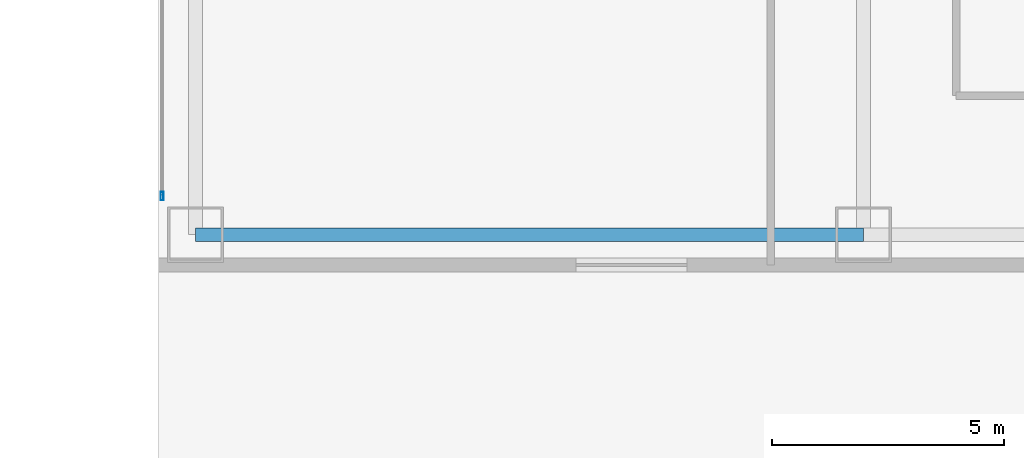
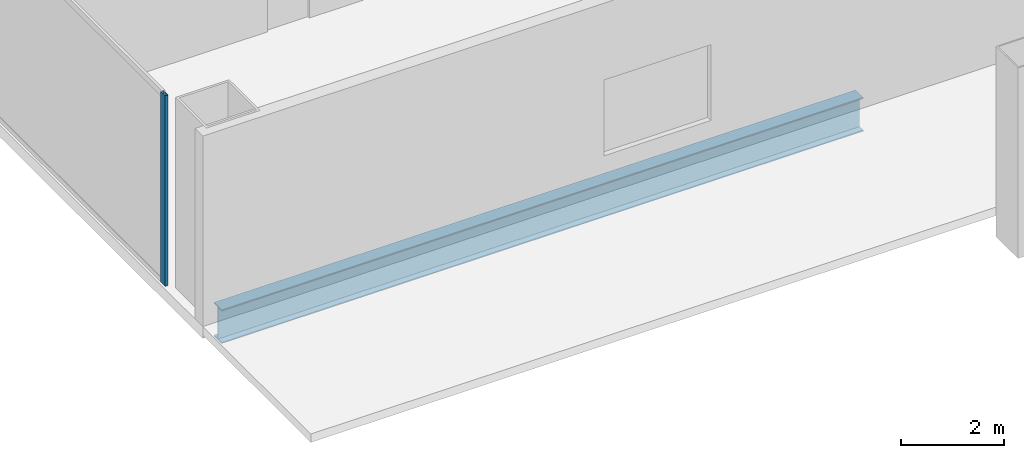
# One storey, part 4 of 58: 1 beam, 1 member, 1 element without a shape of its own.
"""IFC4 building model written with IfcOpenShell, lengths in metres."""

from ifc_helpers import new_model, si_unit, direction, frame, origin, origin_2d, place, context, subcontext, project, spatial, hollow_rectangle, i_section, extrude, source, transform, mapped, material, layer, layer_set, material_profile, profile_set, type_object, element, aggregate, save


model = new_model("IFC4")

# Units and contexts
model_context = context("Model", 3, precision=1e-05, world=origin(), true_north=direction((0.0, 1.0)))
body_context = subcontext(model_context, "Body", "Model", "MODEL_VIEW")
ifc_project = project(units=[si_unit("LENGTHUNIT", "METRE"), si_unit("AREAUNIT", "SQUARE_METRE"), si_unit("VOLUMEUNIT", "CUBIC_METRE"), si_unit("PLANEANGLEUNIT", "RADIAN"), si_unit("MASSUNIT", "GRAM", prefix="KILO"), si_unit("THERMODYNAMICTEMPERATUREUNIT", "KELVIN"), si_unit("POWERUNIT", "WATT")], contexts=[model_context])

# Site, building, storey
site_placement = place(None, origin())
site = spatial("IfcSite", under=ifc_project, at=site_placement, CompositionType="ELEMENT")
building_placement = place(site_placement, origin())
building = spatial("IfcBuilding", under=site, at=building_placement, Name="Yunzhuo Pagoda Commons", CompositionType="ELEMENT")
storey_placement = place(building_placement, origin())
storey = spatial("IfcBuildingStorey", under=building, at=storey_placement, Name="L01", CompositionType="ELEMENT", Elevation=0.0)

# Beam
ifc_material_1 = material(Name="Structural steel Q355B", Category="steel")
ifc_material_profile_1 = material_profile(ifc_material_1, i_section(OverallWidth=0.300048828125, OverallDepth=0.800048828125, WebThickness=0.013916015625, FlangeThickness=0.02587890625, at=origin_2d()), Name="Structural steel Q355B")
ifc_profile_set_1 = profile_set([ifc_material_profile_1], Name="Structural steel Q355B")
beam_type = type_object("IfcBeamType", Name="B-PD2 Beam HN 800x300x14x26", PredefinedType="BEAM", material=ifc_profile_set_1)
shared_shape_1 = source(origin(), body_context, "Body", "SweptSolid", [
    extrude(i_section(OverallWidth=0.300048828125, OverallDepth=0.800048828125, WebThickness=0.013916015625, FlangeThickness=0.02587890625, at=origin_2d()), origin(), (0.0, 0.0, 1.0), 14.39990234375),
])
beam_placement = place(storey_placement, frame((4.800048828125, 6.800048828125, -0.679931640625), z_axis=(1.0, 0.0, 0.0), x_axis=(0.0, 1.0, 0.0)))
element("IfcBeam", 1, at=beam_placement, inside=storey, type_object=beam_type, Name="L01 podium girder EW 1.1", PredefinedType="BEAM", context=body_context, shape_type="MappedRepresentation", body=[
    mapped(shared_shape_1, transform((0.0, 0.0, 0.0), scale=1.0)),
])

# Curtain wall, member
ifc_material_2 = material(Name="Anodized aluminium 6063-T6", Category="aluminium")
ifc_layer = layer(ifc_material_2, 0.179931640625)
ifc_layer_set = layer_set([ifc_layer], Name="Anodized aluminium 6063-T6")
curtain_wall_type = type_object("IfcCurtainWallType", Name="CW-POD Waterfront Podium Curtain Wall", PredefinedType="NOTDEFINED", material=ifc_layer_set)
curtain_wall_placement = place(storey_placement, origin())
curtain_wall = element("IfcCurtainWall", 2, at=curtain_wall_placement, inside=storey, type_object=curtain_wall_type, Name="L01 curtain wall CW-L01-W1", PredefinedType="NOTDEFINED")
ifc_material_profile_2 = material_profile(ifc_material_2, hollow_rectangle(XDim=0.06494140625, YDim=0.179931640625, WallThickness=0.00390625, at=origin_2d()), Name="Anodized aluminium 6063-T6")
ifc_profile_set_2 = profile_set([ifc_material_profile_2], Name="Anodized aluminium 6063-T6")
member_type = type_object("IfcMemberType", Name="CW-POD-M Mullion RHS 180x65x4", PredefinedType="MULLION", material=ifc_profile_set_2)
shared_shape_2 = source(origin(), body_context, "Body", "SweptSolid", [
    extrude(hollow_rectangle(XDim=0.06494140625, YDim=0.179931640625, WallThickness=0.00390625, at=origin_2d()), origin(), (0.0, 0.0, 1.0), 4.520263671875),
])
member_placement = place(storey_placement, frame((4.080078125, 7.632568359375, 0.0), z_axis=(0.0, 0.0, 1.0), x_axis=(-1.0, 0.0, 0.0)))
member = element("IfcMember", 3, at=member_placement, type_object=member_type, Name="CW mullion 1", PredefinedType="MULLION", context=body_context, shape_type="MappedRepresentation", body=[
    mapped(shared_shape_2, transform((0.0, 0.0, 0.0), scale=1.0)),
])
aggregate(curtain_wall, [member])

save(model, "model.ifc")
